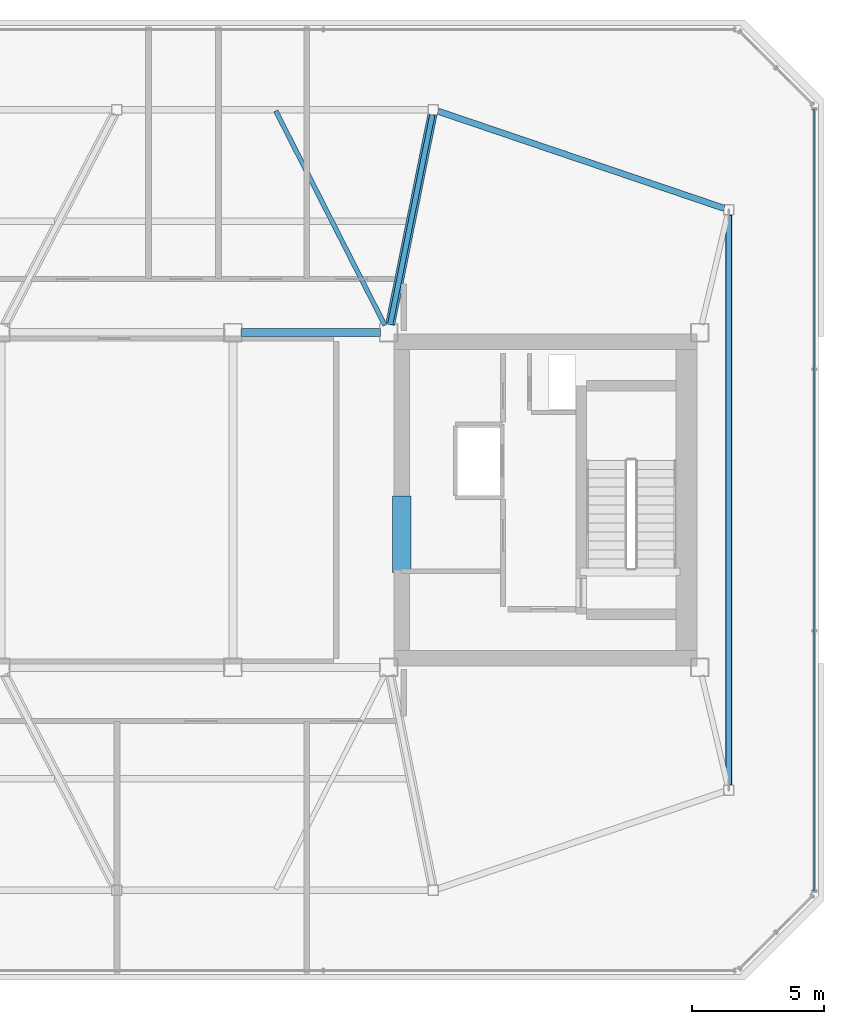
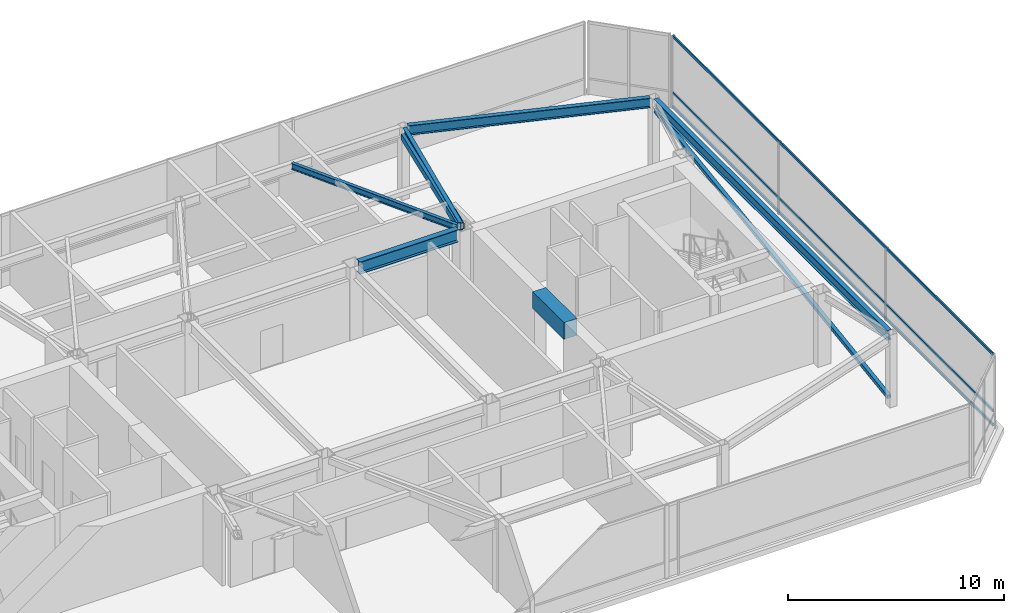
# One storey, part 11 of 21: 6 beams, 5 members, 1 element without a shape of its own.
"""IFC4 building model written with IfcOpenShell, lengths in metres."""

import ifcopenshell
import ifcopenshell.guid

model = None  # the IFC model being written
_history = None  # IfcOwnerHistory: only IFC2X3 demands one
_inside = {}  # id of a spatial element -> (the spatial element, [elements in it])
_under = {}  # id of a project, library or spatial element -> (it, [spatial elements below it])
_declared = {}  # id of a project -> (the project, [libraries it declares])
_typed = {}  # id of a type object -> (the type object, [elements of that type])
_made_of = {}  # id of a material, layer set ... -> (it, [elements and type objects made of it])


def new_model(schema):
    """Start an empty IFC model of exactly this schema.

    Asked for "IFC4X3", IfcOpenShell would pick the latest addendum, in which some entities
    have other attributes; the version numbers below select the first issue.
    IFC2X3 requires an IfcOwnerHistory on every rooted entity: one is made here for all.
    """
    global model, _history
    if schema == "IFC4X3":
        model = ifcopenshell.file(schema_version=(4, 3, 0, 0))
    else:
        model = ifcopenshell.file(schema=schema)
    _inside.clear()
    _under.clear()
    _declared.clear()
    _typed.clear()
    _made_of.clear()
    _history = None
    if model.schema == "IFC2X3":
        org = make("IfcOrganization", Name="unknown")
        user = make(
            "IfcPersonAndOrganization",
            ThePerson=make("IfcPerson", FamilyName="unknown"),
            TheOrganization=org,
        )
        app = make(
            "IfcApplication",
            ApplicationDeveloper=org,
            Version="unknown",
            ApplicationFullName="unknown",
            ApplicationIdentifier="unknown",
        )
        _history = make(
            "IfcOwnerHistory",
            OwningUser=user,
            OwningApplication=app,
            ChangeAction="ADDED",
            CreationDate=0,
        )
    return model


def make(cls, **values):
    """One entity of the class cls with the attributes given. An attribute that is None is left unset."""
    return model.create_entity(
        cls, **{name: value for name, value in values.items() if value is not None}
    )


def rooted(cls, **values):
    """An entity with a GlobalId (a new one), such as an element, a storey or a relation."""
    return make(cls, GlobalId=ifcopenshell.guid.new(), OwnerHistory=_history, **values)


def si_unit(unit_type, name, prefix=None):
    """IfcSIUnit, for example si_unit("LENGTHUNIT", "METRE", prefix="MILLI")."""
    return make("IfcSIUnit", UnitType=unit_type, Prefix=prefix, Name=name)


def assignment(units):
    """IfcUnitAssignment: the units of a project."""
    return None if units is None else make("IfcUnitAssignment", Units=units)


def point(xyz):
    """IfcCartesianPoint."""
    return None if xyz is None else make("IfcCartesianPoint", Coordinates=xyz)


def direction(xyz):
    """IfcDirection."""
    return None if xyz is None else make("IfcDirection", DirectionRatios=xyz)


def frame(location, z_axis=None, x_axis=None):
    """IfcAxis2Placement3D, a coordinate frame: its origin and axes. An axis left out is left unset."""
    return make(
        "IfcAxis2Placement3D",
        Location=point(location),
        Axis=direction(z_axis),
        RefDirection=direction(x_axis),
    )


def frame_2d(location, x_axis=None):
    """IfcAxis2Placement2D, a coordinate frame in the plane: its origin and x axis."""
    return make(
        "IfcAxis2Placement2D", Location=point(location), RefDirection=direction(x_axis)
    )


def origin():
    """The frame at (0, 0, 0) with its axes left unset."""
    return frame((0.0, 0.0, 0.0))


def origin_2d():
    """The frame at (0, 0) in the plane with its x axis left unset."""
    return frame_2d((0.0, 0.0))


def place(relative_to, where):
    """IfcLocalPlacement: puts the frame where relative to a parent placement (None: the world)."""
    return make(
        "IfcLocalPlacement", PlacementRelTo=relative_to, RelativePlacement=where
    )


def context(
    kind, dimensions, precision=None, world=None, true_north=None, identifier=None
):
    """IfcGeometricRepresentationContext, for example the 3D "Model" context."""
    return make(
        "IfcGeometricRepresentationContext",
        ContextIdentifier=identifier,
        ContextType=kind,
        CoordinateSpaceDimension=dimensions,
        Precision=precision,
        WorldCoordinateSystem=world,
        TrueNorth=true_north,
    )


def subcontext(parent, identifier, kind, view, scale=None):
    """IfcGeometricRepresentationSubContext, for example "Body" below "Model"."""
    return make(
        "IfcGeometricRepresentationSubContext",
        ContextIdentifier=identifier,
        ContextType=kind,
        ParentContext=parent,
        TargetScale=scale,
        TargetView=view,
    )


def project(units=None, contexts=None):
    """IfcProject with its units and contexts."""
    return rooted(
        "IfcProject",
        Name="project",
        RepresentationContexts=contexts,
        UnitsInContext=assignment(units),
    )


def spatial(cls, under=None, at=None, **own):
    """A site, building, storey or space (cls), placed at a placement, below another one or the project."""
    s = rooted(cls, ObjectPlacement=at, **own)
    if under is not None:
        _under.setdefault(under.id(), (under, []))[1].append(s)
    return s


def profile(cls, at=None, kind="AREA", **sizes):
    """A parametric profile (cls). Its sizes go by their IFC names, for example OverallWidth=200.0."""
    return make(cls, ProfileType=kind, Position=at, **sizes)


def rectangle(**sizes):
    """IfcRectangleProfileDef."""
    return profile("IfcRectangleProfileDef", **sizes)


def hollow_rectangle(**sizes):
    """IfcRectangleHollowProfileDef."""
    return profile("IfcRectangleHollowProfileDef", **sizes)


def i_section(**sizes):
    """IfcIShapeProfileDef."""
    return profile("IfcIShapeProfileDef", **sizes)


def extrude(swept, where, along, depth):
    """IfcExtrudedAreaSolid: the profile swept, set in the frame where, extruded along a direction by depth."""
    return make(
        "IfcExtrudedAreaSolid",
        SweptArea=swept,
        Position=where,
        ExtrudedDirection=direction(along),
        Depth=depth,
    )


def shape(context_of_items, identifier, shape_type, items):
    """IfcShapeRepresentation: the items that make up one representation, for example the "Body"."""
    return make(
        "IfcShapeRepresentation",
        ContextOfItems=context_of_items,
        RepresentationIdentifier=identifier,
        RepresentationType=shape_type,
        Items=items,
    )


def material(Name=None, Category=None):
    """IfcMaterial."""
    return make("IfcMaterial", Name=Name, Category=Category)


def layer(
    of_material, thickness, ventilated=None, Name=None, Category=None, Priority=None
):
    """IfcMaterialLayer: one layer of a wall or slab, of a material (None: an air gap)."""
    return make(
        "IfcMaterialLayer",
        Material=of_material,
        LayerThickness=thickness,
        IsVentilated=ventilated,
        Name=Name,
        Category=Category,
        Priority=Priority,
    )


def layer_set(layers, Name=None):
    """IfcMaterialLayerSet."""
    return make("IfcMaterialLayerSet", MaterialLayers=layers, LayerSetName=Name)


def material_profile(
    of_material, cross_section, Name=None, Category=None, Priority=None
):
    """IfcMaterialProfile: a cross section and its material."""
    return make(
        "IfcMaterialProfile",
        Name=Name,
        Material=of_material,
        Profile=cross_section,
        Priority=Priority,
        Category=Category,
    )


def profile_set(profiles, Name=None, composite=None):
    """IfcMaterialProfileSet."""
    return make(
        "IfcMaterialProfileSet",
        Name=Name,
        MaterialProfiles=profiles,
        CompositeProfile=composite,
    )


def made_of(thing, what):
    """Note that an element or type object is made of a material, layer set ...; save() writes the relation."""
    if what is not None:
        _made_of.setdefault(what.id(), (what, []))[1].append(thing)
    return thing


def type_object(cls, material=None, **own):
    """A type object (cls), such as IfcWallType, which elements share."""
    return made_of(rooted(cls, **own), material)


def element(
    cls,
    number,
    at=None,
    inside=None,
    cuts=None,
    type_object=None,
    material=None,
    context=None,
    identifier="Body",
    shape_type=None,
    held_by="IfcProductDefinitionShape",
    body=None,
    shapes=None,
    **own,
):
    """One element of the class cls, such as IfcWall. Its Tag is "e" and its number.

    at: its placement. inside: the storey or other place that contains it. cuts: it is an
    opening in that element (IfcRelVoidsElement). A single representation is given by context,
    identifier, shape_type and body (its items); several are given by shapes. held_by: the class
    of the entity that holds the representations. save() writes the other relations.
    """
    e = rooted(cls, Tag="e%d" % number, ObjectPlacement=at, **own)
    if body is not None:
        shapes = [shape(context, identifier, shape_type, body)]
    if shapes is not None:
        e.Representation = make(held_by, Representations=shapes)
    if inside is not None:
        _inside.setdefault(inside.id(), (inside, []))[1].append(e)
    if cuts is not None:
        rooted(
            "IfcRelVoidsElement", RelatingBuildingElement=cuts, RelatedOpeningElement=e
        )
    if type_object is not None:
        _typed.setdefault(type_object.id(), (type_object, []))[1].append(e)
    return made_of(e, material)


def aggregate(whole, parts):
    """IfcRelAggregates: a whole, such as a stair, and the parts it consists of."""
    return rooted("IfcRelAggregates", RelatingObject=whole, RelatedObjects=parts)


def save(model, path):
    """Write the relations noted so far, then the file.

    IfcRelAggregates (storeys below a building ...), IfcRelContainedInSpatialStructure (elements
    in a storey), IfcRelDefinesByType, IfcRelAssociatesMaterial and IfcRelDeclares: one each for
    every whole, place, type object, material and project.
    """
    for whole, parts in _under.values():
        aggregate(whole, parts)
    for where, things in _inside.values():
        rooted(
            "IfcRelContainedInSpatialStructure",
            RelatedElements=things,
            RelatingStructure=where,
        )
    for kind, things in _typed.values():
        rooted("IfcRelDefinesByType", RelatedObjects=things, RelatingType=kind)
    for what, things in _made_of.values():
        rooted("IfcRelAssociatesMaterial", RelatedObjects=things, RelatingMaterial=what)
    for by, libraries in _declared.values():
        rooted("IfcRelDeclares", RelatingContext=by, RelatedDefinitions=libraries)
    model.write(path)


model = new_model("IFC4")

# Units and contexts
model_context = context("Model", 3, precision=1e-05, world=origin(), true_north=direction((0.0, 1.0)))
body_context = subcontext(model_context, "Body", "Model", "MODEL_VIEW")
ifc_project = project(units=[si_unit("LENGTHUNIT", "METRE"), si_unit("AREAUNIT", "SQUARE_METRE"), si_unit("VOLUMEUNIT", "CUBIC_METRE"), si_unit("PLANEANGLEUNIT", "RADIAN"), si_unit("MASSUNIT", "GRAM", prefix="KILO")], contexts=[model_context])

# Site, building, storey
site_placement = place(None, origin())
site = spatial("IfcSite", under=ifc_project, at=site_placement, CompositionType="ELEMENT")
building_placement = place(site_placement, origin())
building = spatial("IfcBuilding", under=site, at=building_placement, Name="Tavrogorsk Clinical Tower", CompositionType="ELEMENT")
storey_placement = place(building_placement, frame((0.0, 0.0, 344.199951171875)))
storey = spatial("IfcBuildingStorey", under=building, at=storey_placement, Name="L80", CompositionType="ELEMENT", Elevation=344.199951171875)

# Beam
ifc_material_1 = material(Name="Concrete B80", Category="concrete")
ifc_material_profile_1 = material_profile(ifc_material_1, rectangle(XDim=0.699951171875, YDim=0.949951171875, at=origin_2d()), Name="RC-CB-700x950")
ifc_profile_set_1 = profile_set([ifc_material_profile_1], Name="Concrete B80")
beam_type_1 = type_object("IfcBeamType", Name="CouplingBeam_RC700x950", PredefinedType="LINTEL", material=ifc_profile_set_1)
beam_1_placement = place(storey_placement, frame((10.800048828125, -2.75, 3.625), z_axis=(0.0, 1.0, 0.0), x_axis=(-1.0, 0.0, 0.0)))
element("IfcBeam", 1, at=beam_1_placement, inside=storey, type_object=beam_type_1, Name="L80 Core East Coupling Beam", PredefinedType="LINTEL", context=body_context, shape_type="SweptSolid", body=[
    extrude(rectangle(XDim=0.699951171875, YDim=0.949951171875, at=origin_2d()), origin(), (0.0, 0.0, 1.0), 2.89990234375),
])

# Members
ifc_material_2 = material(Name="Structural steel S355", Category="steel")
ifc_material_profile_2 = material_profile(ifc_material_2, hollow_rectangle(XDim=0.199951171875, YDim=0.199951171875, WallThickness=0.010009765625, at=origin_2d()), Name="SHS-200x200x10")
ifc_profile_set_2 = profile_set([ifc_material_profile_2], Name="Structural steel S355")
member_type_1 = type_object("IfcMemberType", Name="CrownBrace_SHS200", PredefinedType="BRACE", material=ifc_profile_set_2)
member_1_placement = place(storey_placement, frame((23.199951171875, -10.792236328125, 0.329833984375), z_axis=(0.0, 0.989903983744, 0.141739560346), x_axis=(-1.0, 0.0, 0.0)))
element("IfcMember", 2, at=member_1_placement, inside=storey, type_object=member_type_1, Name="L80 Crown Drum Brace 2", PredefinedType="BRACE", context=body_context, shape_type="SweptSolid", body=[
    extrude(hollow_rectangle(XDim=0.199951171875, YDim=0.199951171875, WallThickness=0.010009765625, at=origin_2d()), origin(), (0.0, 0.0, 1.0), 21.8046875),
])
ifc_material_3 = material(Name="Structural steel S390", Category="steel")
ifc_material_profile_3 = material_profile(ifc_material_3, hollow_rectangle(XDim=0.35009765625, YDim=0.35009765625, WallThickness=0.01611328125, at=origin_2d()), Name="SHS-350x350x16")
ifc_profile_set_3 = profile_set([ifc_material_profile_3], Name="Structural steel S390")
member_type_2 = type_object("IfcMemberType", Name="CrownFacetRafter_SHS350", PredefinedType="RAFTER", material=ifc_profile_set_3)
member_2_placement = place(storey_placement, frame((10.361083984375, 6.65380859375, 3.869384765625), z_axis=(0.197131196678, 0.97975889631, -0.03481086608), x_axis=(-0.980353070529, 0.197250746779, 0.0)))
element("IfcMember", 3, at=member_2_placement, inside=storey, type_object=member_type_2, Name="L80 Sloped Facet Rafter N-3", PredefinedType="RAFTER", context=body_context, shape_type="SweptSolid", body=[
    extrude(hollow_rectangle(XDim=0.35009765625, YDim=0.35009765625, WallThickness=0.01611328125, at=origin_2d()), origin(), (0.0, 0.0, 1.0), 8.114501953125),
])

# Curtain wall, members
ifc_material_4 = material(Name="Anodised aluminium and triple IGU glazing", Category="aluminium")
ifc_layer = layer(ifc_material_4, 0.179931640625)
ifc_layer_set = layer_set([ifc_layer], Name="Anodised aluminium and triple IGU glazing")
curtain_wall_type = type_object("IfcCurtainWallType", Name="CW5_SkyLobby", PredefinedType="NOTDEFINED", material=ifc_layer_set)
curtain_wall_placement = place(storey_placement, origin())
curtain_wall = element("IfcCurtainWall", 4, at=curtain_wall_placement, inside=storey, type_object=curtain_wall_type, Name="L80 Curtain Wall CW-L80-DRUM-6", PredefinedType="NOTDEFINED")
ifc_material_5 = material(Name="Anodised aluminium alloy AW-6060", Category="aluminium")
ifc_material_profile_4 = material_profile(ifc_material_5, hollow_rectangle(XDim=0.074951171875, YDim=0.14990234375, WallThickness=0.0048828125, at=origin_2d()), Name="RHS-150x75x5")
ifc_profile_set_4 = profile_set([ifc_material_profile_4], Name="Anodised aluminium alloy AW-6060")
member_type_3 = type_object("IfcMemberType", Name="CwTransom_150x75", PredefinedType="USERDEFINED", material=ifc_profile_set_4)
member_3_placement = place(storey_placement, frame((26.43994140625, 14.82861328125, 0.050048828125), z_axis=(0.0, -1.0, 0.0), x_axis=(1.0, 0.0, 0.0)))
member_3 = element("IfcMember", 5, at=member_3_placement, type_object=member_type_3, Name="CW-L80-DRUM-6 Transom 1", ObjectType="TRANSOM", PredefinedType="USERDEFINED", context=body_context, shape_type="SweptSolid", body=[
    extrude(hollow_rectangle(XDim=0.074951171875, YDim=0.14990234375, WallThickness=0.0048828125, at=origin_2d()), origin(), (0.0, 0.0, 1.0), 29.6572265625),
])
member_4_placement = place(storey_placement, frame((26.43994140625, 14.82861328125, 0.85009765625), z_axis=(0.0, -1.0, 0.0), x_axis=(1.0, 0.0, 0.0)))
member_4 = element("IfcMember", 6, at=member_4_placement, type_object=member_type_3, Name="CW-L80-DRUM-6 Transom 2", ObjectType="TRANSOM", PredefinedType="USERDEFINED", context=body_context, shape_type="SweptSolid", body=[
    extrude(hollow_rectangle(XDim=0.074951171875, YDim=0.14990234375, WallThickness=0.0048828125, at=origin_2d()), origin(), (0.0, 0.0, 1.0), 29.6572265625),
])
member_5_placement = place(storey_placement, frame((26.43994140625, 14.82861328125, 4.050048828125), z_axis=(0.0, -1.0, 0.0), x_axis=(1.0, 0.0, 0.0)))
member_5 = element("IfcMember", 7, at=member_5_placement, type_object=member_type_3, Name="CW-L80-DRUM-6 Transom 3", ObjectType="TRANSOM", PredefinedType="USERDEFINED", context=body_context, shape_type="SweptSolid", body=[
    extrude(hollow_rectangle(XDim=0.074951171875, YDim=0.14990234375, WallThickness=0.0048828125, at=origin_2d()), origin(), (0.0, 0.0, 1.0), 29.6572265625),
])
aggregate(curtain_wall, [member_3, member_4, member_5])

# Beams
ifc_material_6 = material(Name="Structural steel S355", Category="steel")
ifc_material_profile_5 = material_profile(ifc_material_6, i_section(OverallWidth=0.199951171875, OverallDepth=0.449951171875, WebThickness=0.011474609375, FlangeThickness=0.01806640625, at=origin_2d()), Name="B-450x200x11.5x18")
ifc_profile_set_5 = profile_set([ifc_material_profile_5], Name="Structural steel S355")
beam_type_2 = type_object("IfcBeamType", Name="FloorBeam_B450", PredefinedType="BEAM", material=ifc_profile_set_5)
beam_2_placement = place(storey_placement, frame((10.361083984375, 6.65380859375, 3.875), z_axis=(0.197249355273, 0.980353350504, 0.0), x_axis=(-0.980353350504, 0.197249355273, 0.0)))
element("IfcBeam", 8, at=beam_2_placement, inside=storey, type_object=beam_type_2, Name="L80 Crown Radial Beam 06", PredefinedType="BEAM", context=body_context, shape_type="SweptSolid", body=[
    extrude(i_section(OverallWidth=0.199951171875, OverallDepth=0.449951171875, WebThickness=0.011474609375, FlangeThickness=0.01806640625, at=origin_2d()), origin(), (0.0, 0.0, 1.0), 8.119384765625),
])
ifc_material_7 = material(Name="Structural steel S390", Category="steel")
ifc_material_profile_6 = material_profile(ifc_material_7, i_section(OverallWidth=0.300048828125, OverallDepth=0.699951171875, WebThickness=0.01708984375, FlangeThickness=0.028076171875, at=origin_2d()), Name="B-700x300x17x28")
ifc_profile_set_6 = profile_set([ifc_material_profile_6], Name="Structural steel S390")
beam_type_3 = type_object("IfcBeamType", Name="PrimaryGirder_B700", PredefinedType="USERDEFINED", material=ifc_profile_set_6)
beam_3_placement = place(storey_placement, frame((4.7099609375, 6.35009765625, 3.75), z_axis=(1.0, 0.0, 0.0), x_axis=(0.0, 1.0, 0.0)))
element("IfcBeam", 9, at=beam_3_placement, inside=storey, type_object=beam_type_3, Name="L80 Primary Spine Girder MG-06", ObjectType="GIRDER", PredefinedType="USERDEFINED", context=body_context, shape_type="SweptSolid", body=[
    extrude(i_section(OverallWidth=0.300048828125, OverallDepth=0.699951171875, WebThickness=0.01708984375, FlangeThickness=0.028076171875, at=origin_2d()), origin(), (0.0, 0.0, 1.0), 5.280029296875),
])
ifc_material_8 = material(Name="Structural steel S355", Category="steel")
ifc_material_profile_7 = material_profile(ifc_material_8, i_section(OverallWidth=0.175048828125, OverallDepth=0.35009765625, WebThickness=0.009521484375, FlangeThickness=0.013916015625, at=origin_2d()), Name="B-350x175x9.5x14")
ifc_profile_set_7 = profile_set([ifc_material_profile_7], Name="Structural steel S355")
beam_type_4 = type_object("IfcBeamType", Name="SecondaryJoist_B350", PredefinedType="JOIST", material=ifc_profile_set_7)
beam_4_placement = place(storey_placement, frame((10.159423828125, 6.626220703125, 3.925048828125), z_axis=(-0.4535299827, 0.891241019474, 0.0), x_axis=(-0.891241019474, -0.4535299827, 0.0)))
element("IfcBeam", 10, at=beam_4_placement, inside=storey, type_object=beam_type_4, Name="L80 Crown Secondary Joist 04", PredefinedType="JOIST", context=body_context, shape_type="SweptSolid", body=[
    extrude(i_section(OverallWidth=0.175048828125, OverallDepth=0.35009765625, WebThickness=0.009521484375, FlangeThickness=0.013916015625, at=origin_2d()), origin(), (0.0, 0.0, 1.0), 9.12109375),
])
ifc_material_9 = material(Name="Structural steel S390", Category="steel")
ifc_material_profile_8 = material_profile(ifc_material_9, i_section(OverallWidth=0.239990234375, OverallDepth=0.550048828125, WebThickness=0.013916015625, FlangeThickness=0.02197265625, at=origin_2d()), Name="B-550x240x14x22")
ifc_profile_set_8 = profile_set([ifc_material_profile_8], Name="Structural steel S390")
beam_type_5 = type_object("IfcBeamType", Name="SpandrelBeam_B550", PredefinedType="SPANDREL", material=ifc_profile_set_8)
beam_5_placement = place(storey_placement, frame((23.199951171875, -10.81005859375, 3.824951171875), z_axis=(0.0, 1.0, 0.0), x_axis=(-1.0, 0.0, 0.0)))
element("IfcBeam", 11, at=beam_5_placement, inside=storey, type_object=beam_type_5, Name="L80 Crown Spandrel Beam 04", PredefinedType="SPANDREL", context=body_context, shape_type="SweptSolid", body=[
    extrude(i_section(OverallWidth=0.239990234375, OverallDepth=0.550048828125, WebThickness=0.013916015625, FlangeThickness=0.02197265625, at=origin_2d()), origin(), (0.0, 0.0, 1.0), 21.6201171875),
])
beam_6_placement = place(storey_placement, frame((23.02001953125, 11.06103515625, 3.824951171875), z_axis=(-0.946976266831, 0.321303517034, 0.0), x_axis=(-0.321303517034, -0.946976266831, 0.0)))
element("IfcBeam", 12, at=beam_6_placement, inside=storey, type_object=beam_type_5, Name="L80 Crown Spandrel Beam 05", PredefinedType="SPANDREL", context=body_context, shape_type="SweptSolid", body=[
    extrude(i_section(OverallWidth=0.239990234375, OverallDepth=0.550048828125, WebThickness=0.013916015625, FlangeThickness=0.02197265625, at=origin_2d()), origin(), (0.0, 0.0, 1.0), 11.447021484375),
])

save(model, "model.ifc")
